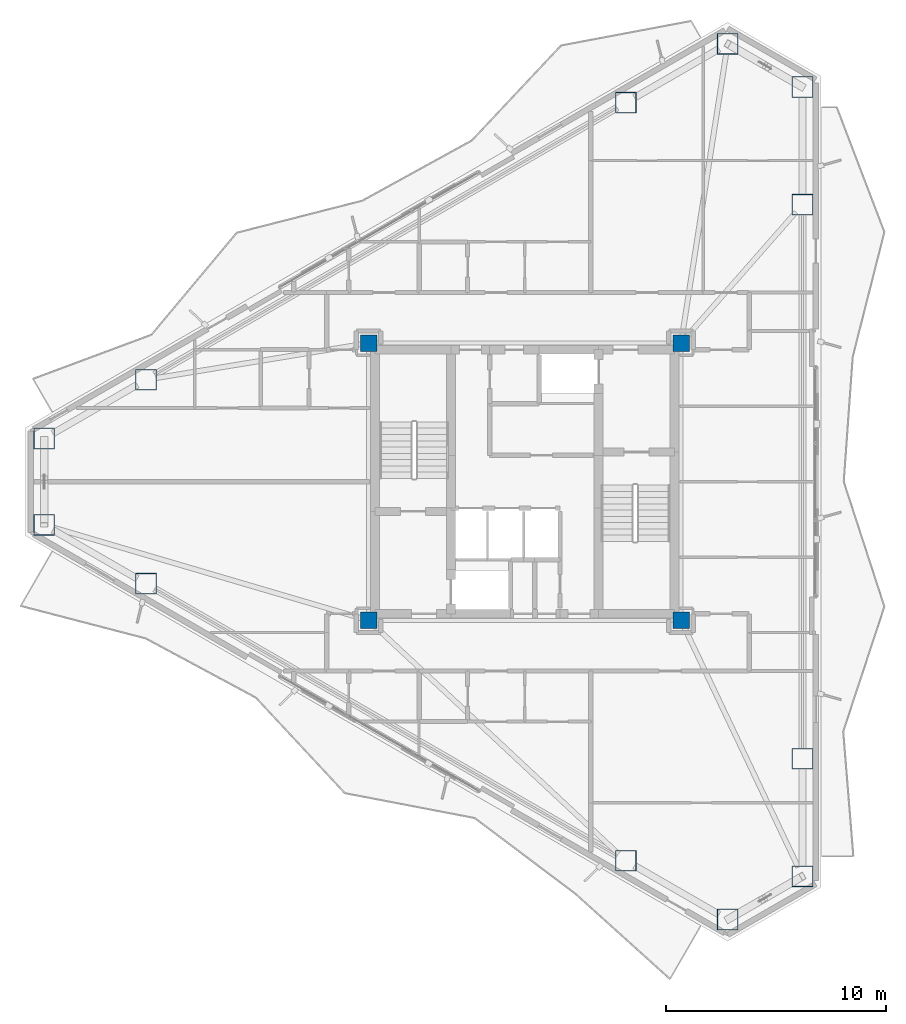
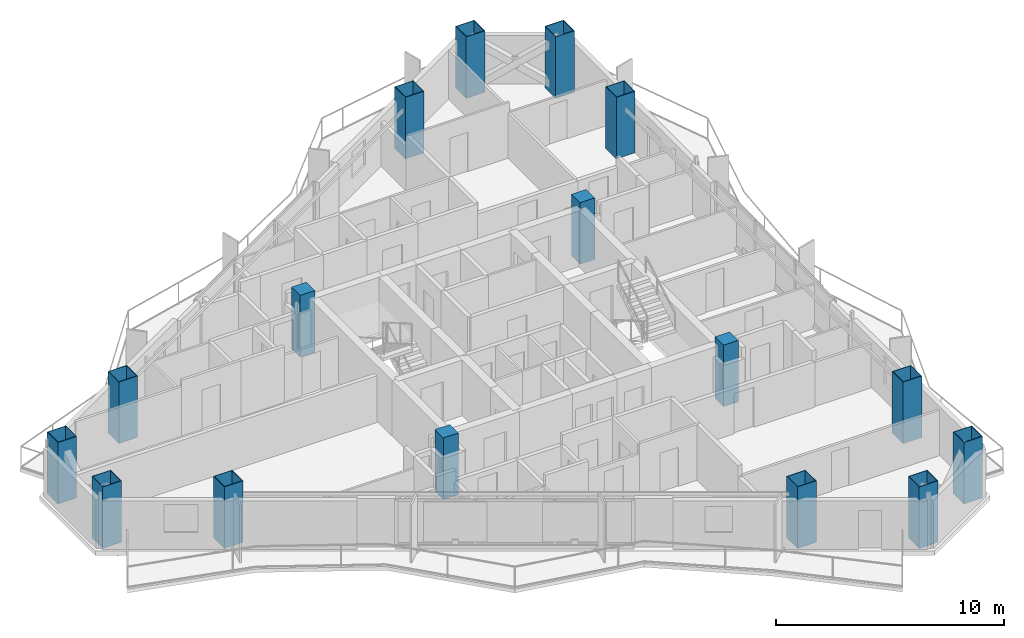
# One storey, part 1 of 18: 16 columns.
"""IFC4 building model written with IfcOpenShell, lengths in metres."""

from ifc_helpers import new_model, si_unit, direction, frame, origin, origin_2d, place, context, subcontext, project, spatial, rectangle, hollow_rectangle, extrude, material, material_profile, profile_set, type_object, element, save


model = new_model("IFC4")

# Units and contexts
model_context = context("Model", 3, precision=1e-05, world=origin(), true_north=direction((0.0, 1.0)))
body_context = subcontext(model_context, "Body", "Model", "MODEL_VIEW")
ifc_project = project(units=[si_unit("LENGTHUNIT", "METRE"), si_unit("AREAUNIT", "SQUARE_METRE"), si_unit("VOLUMEUNIT", "CUBIC_METRE"), si_unit("PLANEANGLEUNIT", "RADIAN"), si_unit("MASSUNIT", "GRAM", prefix="KILO")], contexts=[model_context])

# Site, building, storey
site_placement = place(None, origin())
site = spatial("IfcSite", under=ifc_project, at=site_placement, CompositionType="ELEMENT")
building_placement = place(site_placement, origin())
building = spatial("IfcBuilding", under=site, at=building_placement, Name="Mersakhor Tower and Convention Hall", CompositionType="ELEMENT")
storey_placement = place(building_placement, frame((0.0, 0.0, 157.5)))
storey = spatial("IfcBuildingStorey", under=building, at=storey_placement, Name="L44", CompositionType="ELEMENT", Elevation=157.5)

# Columns
ifc_material_1 = material(Name="Concrete C60/75 in S460M steel box", Category="concrete")
ifc_material_profile_1 = material_profile(ifc_material_1, hollow_rectangle(XDim=0.949951171875, YDim=0.949951171875, WallThickness=0.028076171875, at=origin_2d()), Name="SHS 950x950x28")
ifc_profile_set_1 = profile_set([ifc_material_profile_1], Name="Concrete C60/75 in S460M steel box")
column_type_1 = type_object("IfcColumnType", Name="COL-CFT-950", PredefinedType="COLUMN", material=ifc_profile_set_1)
for number, where, z_axis, x_axis, name in (
    (1, (7.160400390625, 28.71240234375, 0.0), (0.0, 0.0, 1.0), (1.0, 0.0, 0.0), "L44 Perimeter Mega-Column MC-01"),
    (2, (11.788330078125, 31.38427734375, 0.0), (0.0, 0.0, 1.0), (1.0, 0.0, 0.0), "L44 Perimeter Mega-Column MC-02"),
    (3, (33.592529296875, 43.972900390625, 0.0), (0.0, 0.0, 1.0), (1.0, 0.0, 0.0), "L44 Perimeter Mega-Column MC-03"),
    (4, (38.220458984375, 46.644775390625, 0.0), (0.0, 0.0, 1.0), (1.0, 0.0, 0.0), "L44 Perimeter Mega-Column MC-04"),
    (5, (41.619140625, 44.6826171875, 0.0), (0.0, 0.0, 1.0), (1.0, 0.0, 0.0), "L44 Perimeter Mega-Column MC-05"),
    (6, (41.619140625, 39.338623046875, 0.0), (0.0, 0.0, 1.0), (1.0, 0.0, 0.0), "L44 Perimeter Mega-Column MC-06"),
    (7, (41.619140625, 14.161376953125, 0.0), (0.0, 0.0, 1.0), (1.0, 0.0, 0.0), "L44 Perimeter Mega-Column MC-07"),
    (8, (41.619140625, 8.8173828125, 0.0), (0.0, 0.0, 1.0), (1.0, 0.0, 0.0), "L44 Perimeter Mega-Column MC-08"),
    (9, (38.220458984375, 6.855224609375, 0.0), (0.0, 0.0, 1.0), (1.0, 0.0, 0.0), "L44 Perimeter Mega-Column MC-09"),
    (10, (33.592529296875, 9.527099609375, 0.0), (0.0, 0.0, 1.0), (1.0, 0.0, 0.0), "L44 Perimeter Mega-Column MC-10"),
    (11, (11.788330078125, 22.11572265625, 0.0), (0.0, 0.0, 1.0), (1.0, 0.0, 0.0), "L44 Perimeter Mega-Column MC-11"),
    (12, (7.160400390625, 24.78759765625, 0.0), (0.0, 0.0, 1.0), (1.0, 0.0, 0.0), "L44 Perimeter Mega-Column MC-12"),
):
    element("IfcColumn", number, at=place(storey_placement, frame(where, z_axis=z_axis, x_axis=x_axis)), inside=storey, type_object=column_type_1, Name=name, PredefinedType="COLUMN", context=body_context, shape_type="SweptSolid", body=[
        extrude(hollow_rectangle(XDim=0.949951171875, YDim=0.949951171875, WallThickness=0.028076171875, at=origin_2d()), origin(), (0.0, 0.0, 1.0), 3.300048828125),
    ])
ifc_material_2 = material(Name="Concrete C50/60", Category="concrete")
ifc_material_profile_2 = material_profile(ifc_material_2, rectangle(XDim=0.75, YDim=0.75, at=origin_2d()), Name="RC 750x750")
ifc_profile_set_2 = profile_set([ifc_material_profile_2], Name="Concrete C50/60")
column_type_2 = type_object("IfcColumnType", Name="COL-RC-750", PredefinedType="COLUMN", material=ifc_profile_set_2)
for number, where, z_axis, x_axis, name in (
    (13, (21.89990234375, 20.449951171875, 0.0), (0.0, 0.0, 1.0), (1.0, 0.0, 0.0), "L44 Core Corner Column CC-1"),
    (14, (21.89990234375, 33.050048828125, 0.0), (0.0, 0.0, 1.0), (1.0, 0.0, 0.0), "L44 Core Corner Column CC-2"),
    (15, (36.10009765625, 33.050048828125, 0.0), (0.0, 0.0, 1.0), (1.0, 0.0, 0.0), "L44 Core Corner Column CC-3"),
    (16, (36.10009765625, 20.449951171875, 0.0), (0.0, 0.0, 1.0), (1.0, 0.0, 0.0), "L44 Core Corner Column CC-4"),
):
    element("IfcColumn", number, at=place(storey_placement, frame(where, z_axis=z_axis, x_axis=x_axis)), inside=storey, type_object=column_type_2, Name=name, PredefinedType="COLUMN", context=body_context, shape_type="SweptSolid", body=[
        extrude(rectangle(XDim=0.75, YDim=0.75, at=origin_2d()), origin(), (0.0, 0.0, 1.0), 3.300048828125),
    ])

save(model, "model.ifc")
